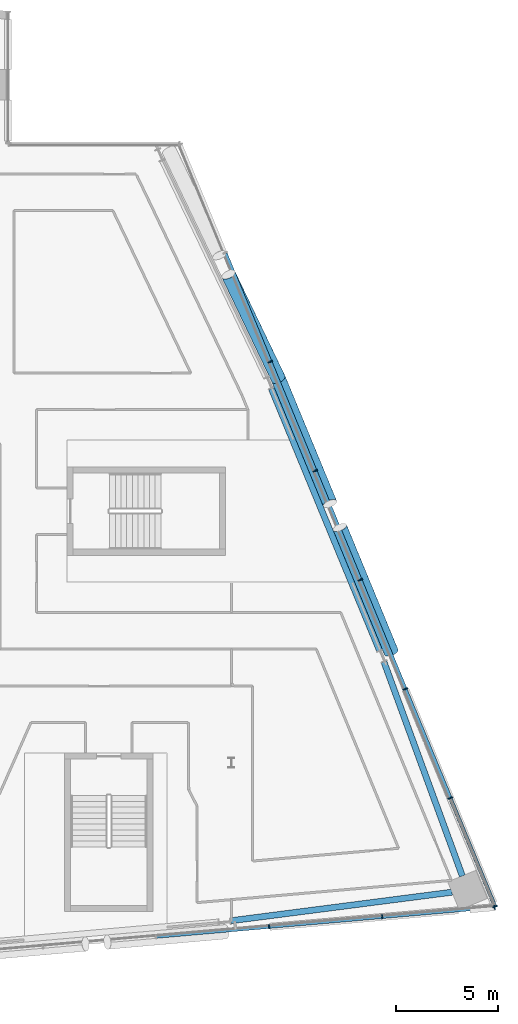
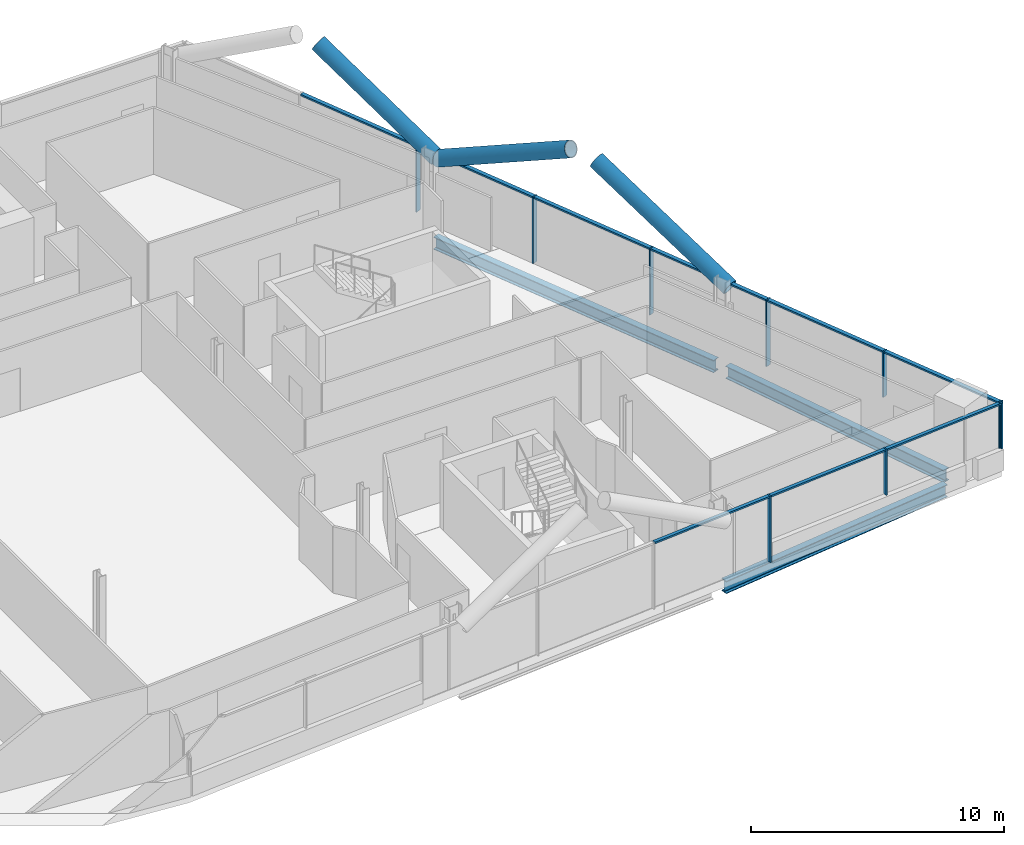
# One storey, part 11 of 27: 21 members, 3 beams, 2 elements without a shape of their own.
"""IFC4 building model written with IfcOpenShell, lengths in metres."""

from ifc_helpers import new_model, si_unit, direction, frame, origin, origin_2d, place, context, subcontext, project, spatial, rectangle, hollow_circle, i_section, extrude, material, material_profile, profile_set, type_object, element, aggregate, save


model = new_model("IFC4")

# Units and contexts
model_context = context("Model", 3, precision=1e-05, world=origin(), true_north=direction((0.0, 1.0)))
body_context = subcontext(model_context, "Body", "Model", "MODEL_VIEW")
ifc_project = project(units=[si_unit("LENGTHUNIT", "METRE"), si_unit("AREAUNIT", "SQUARE_METRE"), si_unit("VOLUMEUNIT", "CUBIC_METRE"), si_unit("PLANEANGLEUNIT", "RADIAN"), si_unit("MASSUNIT", "GRAM", prefix="KILO")], contexts=[model_context])

# Site, building, storey
site_placement = place(None, origin())
site = spatial("IfcSite", under=ifc_project, at=site_placement, CompositionType="ELEMENT")
building_placement = place(site_placement, origin())
building = spatial("IfcBuilding", under=site, at=building_placement, Name="Wharfspan Tower", CompositionType="ELEMENT")
storey_placement = place(building_placement, frame((0.0, 0.0, 191.5)))
storey = spatial("IfcBuildingStorey", under=building, at=storey_placement, Name="L47", CompositionType="ELEMENT", Elevation=191.5)

# Beams
ifc_material_1 = material(Name="Steel S355J2", Category="steel")
ifc_material_profile_1 = material_profile(ifc_material_1, i_section(OverallWidth=0.300049, OverallDepth=0.600098, WebThickness=0.015381, FlangeThickness=0.030029, FilletRadius=0.0271, at=origin_2d()))
ifc_profile_set_1 = profile_set([ifc_material_profile_1], Name="Steel S355J2")
beam_type = type_object("IfcBeamType", Name="Edge beam HEB 600", PredefinedType="SPANDREL", material=ifc_profile_set_1)
beam_1_placement = place(storey_placement, frame((71.965576, 3.724121, -0.699951), z_axis=(0.991764, 0.128077, 0.0), x_axis=(-0.128077, 0.991764, 0.0)))
element("IfcBeam", 1, at=beam_1_placement, inside=storey, type_object=beam_type, Name="Edge beam S2 L47 PS2.2 to MC4", PredefinedType="SPANDREL", context=body_context, shape_type="SweptSolid", body=[
    extrude(i_section(OverallWidth=0.300049, OverallDepth=0.600098, WebThickness=0.015381, FlangeThickness=0.030029, FilletRadius=0.0271, at=origin_2d()), origin(), (0.0, 0.0, 1.0), 10.991211),
])
beam_2_placement = place(storey_placement, frame((83.375732, 5.931885, -0.699951), z_axis=(-0.343871, 0.939017, 0.0), x_axis=(-0.939017, -0.343871, 0.0)))
element("IfcBeam", 2, at=beam_2_placement, inside=storey, type_object=beam_type, Name="Edge beam E L47 MC4 to PE.1", PredefinedType="SPANDREL", context=body_context, shape_type="SweptSolid", body=[
    extrude(i_section(OverallWidth=0.300049, OverallDepth=0.600098, WebThickness=0.015381, FlangeThickness=0.030029, FilletRadius=0.0271, at=origin_2d()), origin(), (0.0, 0.0, 1.0), 11.226807),
])
beam_3_placement = place(storey_placement, frame((79.292969, 17.044434, -0.699951), z_axis=(-0.381593, 0.92433, 0.0), x_axis=(-0.92433, -0.381593, 0.0)))
element("IfcBeam", 3, at=beam_3_placement, inside=storey, type_object=beam_type, Name="Edge beam E L47 PE.1 to PE.2", PredefinedType="SPANDREL", context=body_context, shape_type="SweptSolid", body=[
    extrude(i_section(OverallWidth=0.300049, OverallDepth=0.600098, WebThickness=0.015381, FlangeThickness=0.030029, FilletRadius=0.0271, at=origin_2d()), origin(), (0.0, 0.0, 1.0), 13.94751),
])

# Curtain wall, members
ifc_material_2 = material(Name="Aluminium 6063-T6", Category="aluminium")
curtain_wall_type_1 = type_object("IfcCurtainWallType", Name="CURTAIN WALL FACETED FRONT", PredefinedType="NOTDEFINED", material=ifc_material_2)
curtain_wall_1_placement = place(storey_placement, origin())
curtain_wall_1 = element("IfcCurtainWall", 4, at=curtain_wall_1_placement, inside=storey, type_object=curtain_wall_type_1, Name="Curtain wall S2", PredefinedType="NOTDEFINED")
ifc_material_profile_2 = material_profile(ifc_material_2, rectangle(XDim=0.199951, YDim=0.060059, at=origin_2d()))
ifc_profile_set_2 = profile_set([ifc_material_profile_2], Name="Aluminium 6063-T6")
member_type_1 = type_object("IfcMemberType", Name="MULLION FACETED FRONT 60x200", PredefinedType="MULLION", material=ifc_profile_set_2)
member_1_placement = place(storey_placement, frame((73.857178, 3.425049, 0.0), z_axis=(0.0, 0.0, 1.0), x_axis=(-0.087156, 0.996198, 0.0)))
member_1 = element("IfcMember", 5, at=member_1_placement, type_object=member_type_1, Name="Curtain wall S2 mullion 6", PredefinedType="MULLION", context=body_context, shape_type="SweptSolid", body=[
    extrude(rectangle(XDim=0.199951, YDim=0.060059, at=origin_2d()), origin(), (0.0, 0.0, 1.0), 3.199951),
])
member_2_placement = place(storey_placement, frame((79.428467, 3.912598, 1.0), z_axis=(0.0, 0.0, 1.0), x_axis=(-0.087156, 0.996198, 0.0)))
member_2 = element("IfcMember", 6, at=member_2_placement, type_object=member_type_1, Name="Curtain wall S2 mullion 7", PredefinedType="MULLION", context=body_context, shape_type="SweptSolid", body=[
    extrude(rectangle(XDim=0.199951, YDim=0.060059, at=origin_2d()), origin(), (0.0, 0.0, 1.0), 2.199951),
])
member_3_placement = place(storey_placement, frame((84.970215, 4.397461, 1.0), z_axis=(0.0, 0.0, 1.0), x_axis=(-0.087156, 0.996198, 0.0)))
member_3 = element("IfcMember", 7, at=member_3_placement, type_object=member_type_1, Name="Curtain wall S2 mullion 8", PredefinedType="MULLION", context=body_context, shape_type="SweptSolid", body=[
    extrude(rectangle(XDim=0.199951, YDim=0.060059, at=origin_2d()), origin(), (0.0, 0.0, 1.0), 2.199951),
])

curtain_wall_type_2 = type_object("IfcCurtainWallType", Name="CURTAIN WALL PROW AND END", PredefinedType="NOTDEFINED", material=ifc_material_2)
curtain_wall_2_placement = place(storey_placement, origin())
curtain_wall_2 = element("IfcCurtainWall", 8, at=curtain_wall_2_placement, inside=storey, type_object=curtain_wall_type_2, Name="Curtain wall E", PredefinedType="NOTDEFINED")
ifc_material_profile_3 = material_profile(ifc_material_2, rectangle(XDim=0.23999, YDim=0.060059, at=origin_2d()))
ifc_profile_set_3 = profile_set([ifc_material_profile_3], Name="Aluminium 6063-T6")
member_type_2 = type_object("IfcMemberType", Name="MULLION PROW AND END 60x240", PredefinedType="MULLION", material=ifc_profile_set_3)
member_4_placement = place(storey_placement, frame((84.988525, 4.427734, 1.0), z_axis=(0.0, 0.0, 1.0), x_axis=(-0.924325, -0.381602, 0.0)))
member_4 = element("IfcMember", 9, at=member_4_placement, type_object=member_type_2, Name="Curtain wall E mullion 1", PredefinedType="MULLION", context=body_context, shape_type="SweptSolid", body=[
    extrude(rectangle(XDim=0.23999, YDim=0.060059, at=origin_2d()), origin(), (0.0, 0.0, 1.0), 2.199951),
])
member_5_placement = place(storey_placement, frame((82.782471, 9.771484, 1.0), z_axis=(0.0, 0.0, 1.0), x_axis=(-0.924325, -0.381602, 0.0)))
member_5 = element("IfcMember", 10, at=member_5_placement, type_object=member_type_2, Name="Curtain wall E mullion 2", PredefinedType="MULLION", context=body_context, shape_type="SweptSolid", body=[
    extrude(rectangle(XDim=0.23999, YDim=0.060059, at=origin_2d()), origin(), (0.0, 0.0, 1.0), 2.199951),
])
member_6_placement = place(storey_placement, frame((80.564941, 15.142822, 0.0), z_axis=(0.0, 0.0, 1.0), x_axis=(-0.924325, -0.381602, 0.0)))
member_6 = element("IfcMember", 11, at=member_6_placement, type_object=member_type_2, Name="Curtain wall E mullion 3", PredefinedType="MULLION", context=body_context, shape_type="SweptSolid", body=[
    extrude(rectangle(XDim=0.23999, YDim=0.060059, at=origin_2d()), origin(), (0.0, 0.0, 1.0), 3.199951),
])
member_7_placement = place(storey_placement, frame((78.347412, 20.514404, 0.0), z_axis=(0.0, 0.0, 1.0), x_axis=(-0.924325, -0.381602, 0.0)))
member_7 = element("IfcMember", 12, at=member_7_placement, type_object=member_type_2, Name="Curtain wall E mullion 4", PredefinedType="MULLION", context=body_context, shape_type="SweptSolid", body=[
    extrude(rectangle(XDim=0.23999, YDim=0.060059, at=origin_2d()), origin(), (0.0, 0.0, 1.0), 3.199951),
])
member_8_placement = place(storey_placement, frame((76.129639, 25.885742, 0.0), z_axis=(0.0, 0.0, 1.0), x_axis=(-0.924325, -0.381602, 0.0)))
member_8 = element("IfcMember", 13, at=member_8_placement, type_object=member_type_2, Name="Curtain wall E mullion 5", PredefinedType="MULLION", context=body_context, shape_type="SweptSolid", body=[
    extrude(rectangle(XDim=0.23999, YDim=0.060059, at=origin_2d()), origin(), (0.0, 0.0, 1.0), 3.199951),
])
member_9_placement = place(storey_placement, frame((73.912109, 31.25708, 0.0), z_axis=(0.0, 0.0, 1.0), x_axis=(-0.924325, -0.381602, 0.0)))
member_9 = element("IfcMember", 14, at=member_9_placement, type_object=member_type_2, Name="Curtain wall E mullion 6", PredefinedType="MULLION", context=body_context, shape_type="SweptSolid", body=[
    extrude(rectangle(XDim=0.23999, YDim=0.060059, at=origin_2d()), origin(), (0.0, 0.0, 1.0), 3.199951),
])

# Members
ifc_material_3 = material(Name="Steel S460NH", Category="steel")
ifc_material_profile_4 = material_profile(ifc_material_3, hollow_circle(Radius=0.355469, WallThickness=0.035889, at=origin_2d()))
ifc_profile_set_4 = profile_set([ifc_material_profile_4], Name="Steel S460NH")
member_type_3 = type_object("IfcMemberType", Name="Mega brace CHS 711x36", PredefinedType="BRACE", material=ifc_profile_set_4)
member_10_placement = place(storey_placement, frame((79.876465, 16.954346, 2.899902), z_axis=(-0.34204, 0.82855, 0.443298), x_axis=(-0.924336, -0.38158, -4e-06)))
element("IfcMember", 15, at=member_10_placement, inside=storey, type_object=member_type_3, Name="Mega brace E5 L48 part 1", PredefinedType="BRACE", context=body_context, shape_type="SweptSolid", body=[
    extrude(hollow_circle(Radius=0.355469, WallThickness=0.035889, at=origin_2d()), origin(), (0.0, 0.0, 1.0), 7.406982),
])
member_11_placement = place(storey_placement, frame((74.320557, 30.411865, 2.899902), z_axis=(0.342079, -0.828531, 0.443305), x_axis=(0.924316, 0.381624, -4e-06)))
element("IfcMember", 16, at=member_11_placement, inside=storey, type_object=member_type_3, Name="Mega brace E5 L48 part 3", PredefinedType="BRACE", context=body_context, shape_type="SweptSolid", body=[
    extrude(hollow_circle(Radius=0.355469, WallThickness=0.035889, at=origin_2d()), origin(), (0.0, 0.0, 1.0), 7.406738),
])
member_12_placement = place(storey_placement, frame((74.320557, 30.411865, 2.899902), z_axis=(-0.374112, 0.780716, 0.500522), x_axis=(-0.901807, -0.432139, 2e-06)))
element("IfcMember", 17, at=member_12_placement, inside=storey, type_object=member_type_3, Name="Mega brace E6 L48 part 1", PredefinedType="BRACE", context=body_context, shape_type="SweptSolid", body=[
    extrude(hollow_circle(Radius=0.355469, WallThickness=0.035889, at=origin_2d()), origin(), (0.0, 0.0, 1.0), 6.582031),
])

# Member
ifc_material_profile_5 = material_profile(ifc_material_2, rectangle(XDim=0.159912, YDim=0.080078, at=origin_2d()))
ifc_profile_set_5 = profile_set([ifc_material_profile_5], Name="Aluminium 6063-T6")
member_type_4 = type_object("IfcMemberType", Name="TRANSOM FACETED FRONT 80x160", PredefinedType="USERDEFINED", material=ifc_profile_set_5)
member_13_placement = place(storey_placement, frame((68.315674, 2.940186, 3.159912), z_axis=(0.996191, 0.087197, 0.0), x_axis=(-0.087197, 0.996191, 0.0)))
member_13 = element("IfcMember", 18, at=member_13_placement, type_object=member_type_4, Name="Curtain wall S2 transom 5", ObjectType="TRANSOM", PredefinedType="USERDEFINED", context=body_context, shape_type="SweptSolid", body=[
    extrude(rectangle(XDim=0.159912, YDim=0.080078, at=origin_2d()), origin(), (0.0, 0.0, 1.0), 5.532471),
])

member_14_placement = place(storey_placement, frame((73.886963, 3.427734, 3.159912), z_axis=(0.996195, 0.087149, 0.0), x_axis=(-0.087149, 0.996195, 0.0)))
member_14 = element("IfcMember", 19, at=member_14_placement, type_object=member_type_4, Name="Curtain wall S2 transom 6", ObjectType="TRANSOM", PredefinedType="USERDEFINED", context=body_context, shape_type="SweptSolid", body=[
    extrude(rectangle(XDim=0.159912, YDim=0.080078, at=origin_2d()), origin(), (0.0, 0.0, 1.0), 5.532715),
])

member_15_placement = place(storey_placement, frame((79.458496, 3.915283, 3.159912), z_axis=(0.996196, 0.087139, 0.0), x_axis=(-0.087139, 0.996196, 0.0)))
member_15 = element("IfcMember", 20, at=member_15_placement, type_object=member_type_4, Name="Curtain wall S2 transom 7", ObjectType="TRANSOM", PredefinedType="USERDEFINED", context=body_context, shape_type="SweptSolid", body=[
    extrude(rectangle(XDim=0.159912, YDim=0.080078, at=origin_2d()), origin(), (0.0, 0.0, 1.0), 5.502686),
])

aggregate(curtain_wall_1, [member_1, member_2, member_3, member_13, member_14, member_15])

ifc_material_profile_6 = material_profile(ifc_material_2, rectangle(XDim=0.179932, YDim=0.080078, at=origin_2d()))
ifc_profile_set_6 = profile_set([ifc_material_profile_6], Name="Aluminium 6063-T6")
member_type_5 = type_object("IfcMemberType", Name="TRANSOM PROW AND END 80x180", PredefinedType="USERDEFINED", material=ifc_profile_set_6)
member_16_placement = place(storey_placement, frame((84.977051, 4.455566, 3.159912), z_axis=(-0.381595, 0.924329, 0.0), x_axis=(-0.924329, -0.381595, 0.0)))
member_16 = element("IfcMember", 21, at=member_16_placement, type_object=member_type_5, Name="Curtain wall E transom 1", ObjectType="TRANSOM", PredefinedType="USERDEFINED", context=body_context, shape_type="SweptSolid", body=[
    extrude(rectangle(XDim=0.179932, YDim=0.080078, at=origin_2d()), origin(), (0.0, 0.0, 1.0), 5.720947),
])

member_17_placement = place(storey_placement, frame((82.770996, 9.799072, 3.159912), z_axis=(-0.381578, 0.924337, 0.0), x_axis=(-0.924337, -0.381578, 0.0)))
member_17 = element("IfcMember", 22, at=member_17_placement, type_object=member_type_5, Name="Curtain wall E transom 2", ObjectType="TRANSOM", PredefinedType="USERDEFINED", context=body_context, shape_type="SweptSolid", body=[
    extrude(rectangle(XDim=0.179932, YDim=0.080078, at=origin_2d()), origin(), (0.0, 0.0, 1.0), 5.751221),
])

member_18_placement = place(storey_placement, frame((80.553467, 15.170654, 3.159912), z_axis=(-0.381629, 0.924315, 0.0), x_axis=(-0.924315, -0.381629, 0.0)))
member_18 = element("IfcMember", 23, at=member_18_placement, type_object=member_type_5, Name="Curtain wall E transom 3", ObjectType="TRANSOM", PredefinedType="USERDEFINED", context=body_context, shape_type="SweptSolid", body=[
    extrude(rectangle(XDim=0.179932, YDim=0.080078, at=origin_2d()), origin(), (0.0, 0.0, 1.0), 5.751221),
])

member_19_placement = place(storey_placement, frame((78.335938, 20.541992, 3.159912), z_axis=(-0.381629, 0.924315, 0.0), x_axis=(-0.924315, -0.381629, 0.0)))
member_19 = element("IfcMember", 24, at=member_19_placement, type_object=member_type_5, Name="Curtain wall E transom 4", ObjectType="TRANSOM", PredefinedType="USERDEFINED", context=body_context, shape_type="SweptSolid", body=[
    extrude(rectangle(XDim=0.179932, YDim=0.080078, at=origin_2d()), origin(), (0.0, 0.0, 1.0), 5.751221),
])

member_20_placement = place(storey_placement, frame((76.118408, 25.91333, 3.159912), z_axis=(-0.381614, 0.924322, 0.0), x_axis=(-0.924322, -0.381614, 0.0)))
member_20 = element("IfcMember", 25, at=member_20_placement, type_object=member_type_5, Name="Curtain wall E transom 5", ObjectType="TRANSOM", PredefinedType="USERDEFINED", context=body_context, shape_type="SweptSolid", body=[
    extrude(rectangle(XDim=0.179932, YDim=0.080078, at=origin_2d()), origin(), (0.0, 0.0, 1.0), 5.751465),
])

member_21_placement = place(storey_placement, frame((73.900635, 31.284912, 3.159912), z_axis=(-0.381593, 0.92433, 0.0), x_axis=(-0.92433, -0.381593, 0.0)))
member_21 = element("IfcMember", 26, at=member_21_placement, type_object=member_type_5, Name="Curtain wall E transom 6", ObjectType="TRANSOM", PredefinedType="USERDEFINED", context=body_context, shape_type="SweptSolid", body=[
    extrude(rectangle(XDim=0.179932, YDim=0.080078, at=origin_2d()), origin(), (0.0, 0.0, 1.0), 5.751221),
])

aggregate(curtain_wall_2, [member_4, member_5, member_6, member_7, member_8, member_9, member_16, member_17, member_18, member_19, member_20, member_21])

save(model, "model.ifc")
